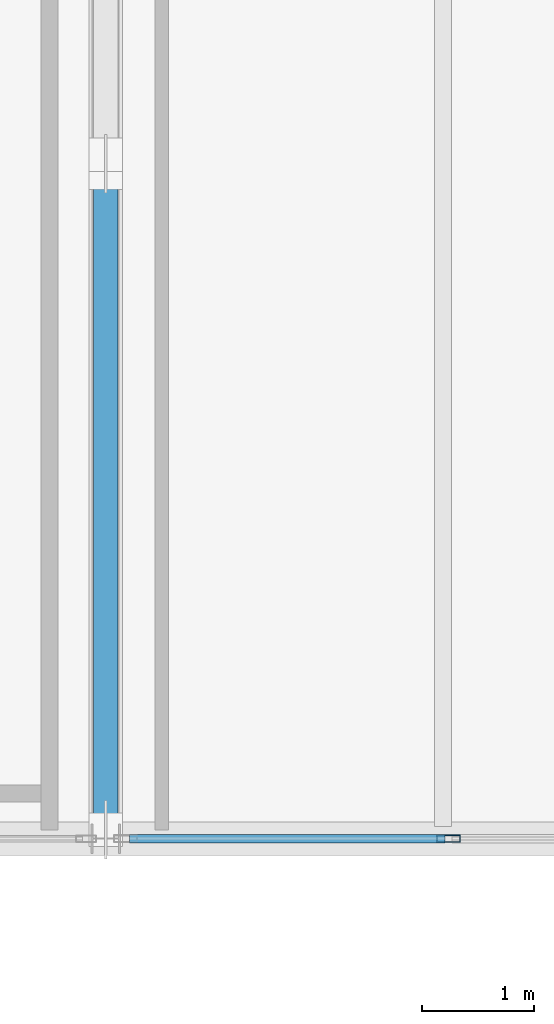
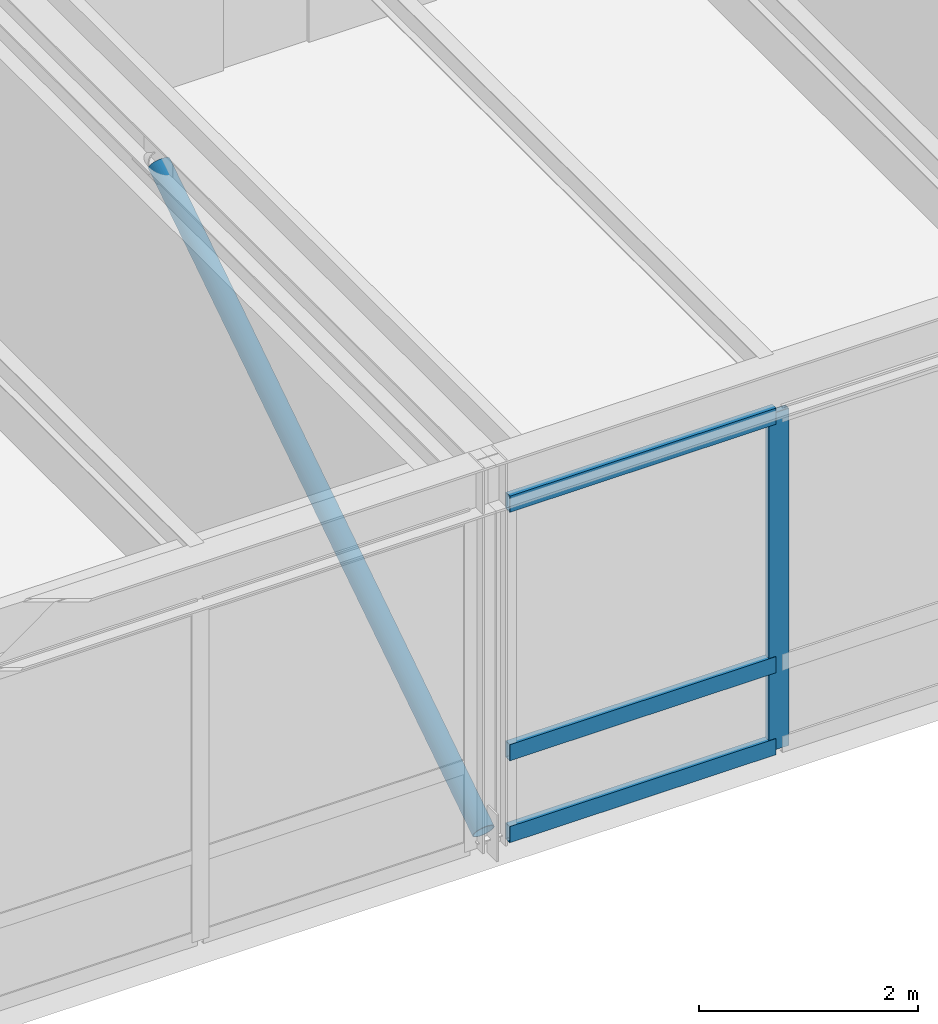
# One storey, part 26 of 67: 5 members, 1 element without a shape of its own.
"""IFC4 building model written with IfcOpenShell, lengths in metres."""

from ifc_helpers import new_model, si_unit, direction, frame, origin, origin_2d, place, context, subcontext, project, spatial, hollow_rectangle, hollow_circle, extrude, material, layer, layer_set, material_profile, profile_set, type_object, element, aggregate, save


model = new_model("IFC4")

# Units and contexts
model_context = context("Model", 3, precision=1e-05, world=origin(), true_north=direction((0.0, 1.0)))
body_context = subcontext(model_context, "Body", "Model", "MODEL_VIEW")
ifc_project = project(units=[si_unit("LENGTHUNIT", "METRE"), si_unit("AREAUNIT", "SQUARE_METRE"), si_unit("VOLUMEUNIT", "CUBIC_METRE"), si_unit("PLANEANGLEUNIT", "RADIAN"), si_unit("MASSUNIT", "GRAM", prefix="KILO")], contexts=[model_context])

# Site, building, storey
site_placement = place(None, origin())
site = spatial("IfcSite", under=ifc_project, at=site_placement, CompositionType="ELEMENT")
building_placement = place(site_placement, origin())
building = spatial("IfcBuilding", under=site, at=building_placement, Name="Montelvaro Courts of Justice", CompositionType="ELEMENT")
storey_placement = place(building_placement, frame((0.0, 0.0, 18.89990234375)))
storey = spatial("IfcBuildingStorey", under=building, at=storey_placement, Name="L04", CompositionType="ELEMENT", Elevation=18.89990234375)

# Curtain wall, members
ifc_material_1 = material(Name="Anodised aluminium EN AW-6063", Category="aluminium")
ifc_layer = layer(ifc_material_1, 0.159912109375)
ifc_layer_set = layer_set([ifc_layer], Name="Anodised aluminium EN AW-6063")
curtain_wall_type = type_object("IfcCurtainWallType", Name="CurtainWall_18_868x418", PredefinedType="USERDEFINED", material=ifc_layer_set)
curtain_wall_placement = place(storey_placement, origin())
curtain_wall = element("IfcCurtainWall", 1, at=curtain_wall_placement, inside=storey, type_object=curtain_wall_type, Name="Curtain Wall CW-18 (L04)", ObjectType="CURTAIN WALL", PredefinedType="USERDEFINED")
ifc_material_profile_1 = material_profile(ifc_material_1, hollow_rectangle(XDim=0.06494140625, YDim=0.2099609375, WallThickness=0.0048828125, at=origin_2d()), Name="ALU-M 65x210")
ifc_profile_set_1 = profile_set([ifc_material_profile_1], Name="Anodised aluminium EN AW-6063")
member_type_1 = type_object("IfcMemberType", Name="CurtainWall_Mullion_65x210", PredefinedType="MULLION", material=ifc_profile_set_1)
member_1_placement = place(storey_placement, frame((129.04833984375, 66.0, 0.0), z_axis=(0.0, 0.0, 1.0), x_axis=(0.0, 1.0, 0.0)))
member_1 = element("IfcMember", 2, at=member_1_placement, type_object=member_type_1, Name="CW-18 mullion 2", PredefinedType="MULLION", context=body_context, shape_type="SweptSolid", body=[
    extrude(hollow_rectangle(XDim=0.06494140625, YDim=0.2099609375, WallThickness=0.0048828125, at=origin_2d()), origin(), (0.0, 0.0, 1.0), 3.755126953125),
])
ifc_material_profile_2 = material_profile(ifc_material_1, hollow_rectangle(XDim=0.074951171875, YDim=0.179931640625, WallThickness=0.0048828125, at=origin_2d()), Name="ALU-T 75x180")
ifc_profile_set_2 = profile_set([ifc_material_profile_2], Name="Anodised aluminium EN AW-6063")
member_type_2 = type_object("IfcMemberType", Name="CurtainWall_Transom_75x180", PredefinedType="USERDEFINED", material=ifc_profile_set_2)
member_2_placement = place(storey_placement, frame((126.2099609375, 66.0, 0.03759765625), z_axis=(1.0, 0.0, 0.0), x_axis=(0.0, 1.0, 0.0)))
member_2 = element("IfcMember", 3, at=member_2_placement, type_object=member_type_2, Name="CW-18 transom 1.1", ObjectType="TRANSOM", PredefinedType="USERDEFINED", context=body_context, shape_type="SweptSolid", body=[
    extrude(hollow_rectangle(XDim=0.074951171875, YDim=0.179931640625, WallThickness=0.0048828125, at=origin_2d()), origin(), (0.0, 0.0, 1.0), 2.805908203125),
])
member_3_placement = place(storey_placement, frame((126.2099609375, 66.0, 0.9501953125), z_axis=(1.0, 0.0, 0.0), x_axis=(0.0, 1.0, 0.0)))
member_3 = element("IfcMember", 4, at=member_3_placement, type_object=member_type_2, Name="CW-18 transom 1.2", ObjectType="TRANSOM", PredefinedType="USERDEFINED", context=body_context, shape_type="SweptSolid", body=[
    extrude(hollow_rectangle(XDim=0.074951171875, YDim=0.179931640625, WallThickness=0.0048828125, at=origin_2d()), origin(), (0.0, 0.0, 1.0), 2.805908203125),
])
member_4_placement = place(storey_placement, frame((126.2099609375, 66.0, 3.717529296875), z_axis=(1.0, 0.0, 0.0), x_axis=(0.0, 1.0, 0.0)))
member_4 = element("IfcMember", 5, at=member_4_placement, type_object=member_type_2, Name="CW-18 transom 1.3", ObjectType="TRANSOM", PredefinedType="USERDEFINED", context=body_context, shape_type="SweptSolid", body=[
    extrude(hollow_rectangle(XDim=0.074951171875, YDim=0.179931640625, WallThickness=0.0048828125, at=origin_2d()), origin(), (0.0, 0.0, 1.0), 2.805908203125),
])
aggregate(curtain_wall, [member_1, member_2, member_3, member_4])

# Member
ifc_material_2 = material(Name="Steel S355", Category="steel")
ifc_material_profile_3 = material_profile(ifc_material_2, hollow_circle(Radius=0.109619140625, WallThickness=0.010009765625, at=origin_2d()), Name="CHS 219.1x10")
ifc_profile_set_3 = profile_set([ifc_material_profile_3], Name="Steel S355")
member_type_3 = type_object("IfcMemberType", Name="Mem_CHS219_Brace", PredefinedType="BRACE", material=ifc_profile_set_3)
member_5_placement = place(storey_placement, frame((126.0, 66.080078125, 0.080078125), z_axis=(0.0, 0.838304571462, 0.545202206036), x_axis=(-1.0, 0.0, 0.0)))
element("IfcMember", 6, at=member_5_placement, inside=storey, type_object=member_type_3, Name="Lateral Braced Frame CBF3 Diagonal 1 (L04)", PredefinedType="BRACE", context=body_context, shape_type="SweptSolid", body=[
    extrude(hollow_circle(Radius=0.109619140625, WallThickness=0.010009765625, at=origin_2d()), origin(), (0.0, 0.0, 1.0), 7.061767578125),
])

save(model, "model.ifc")
